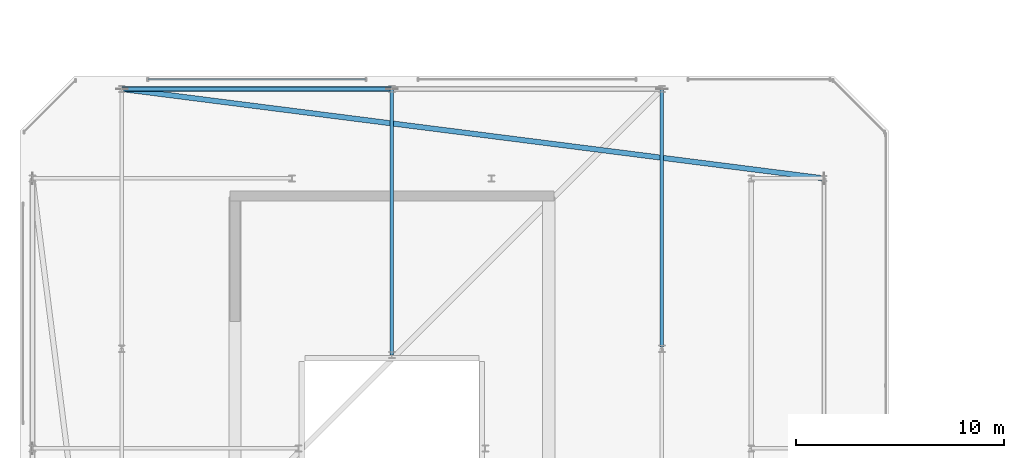
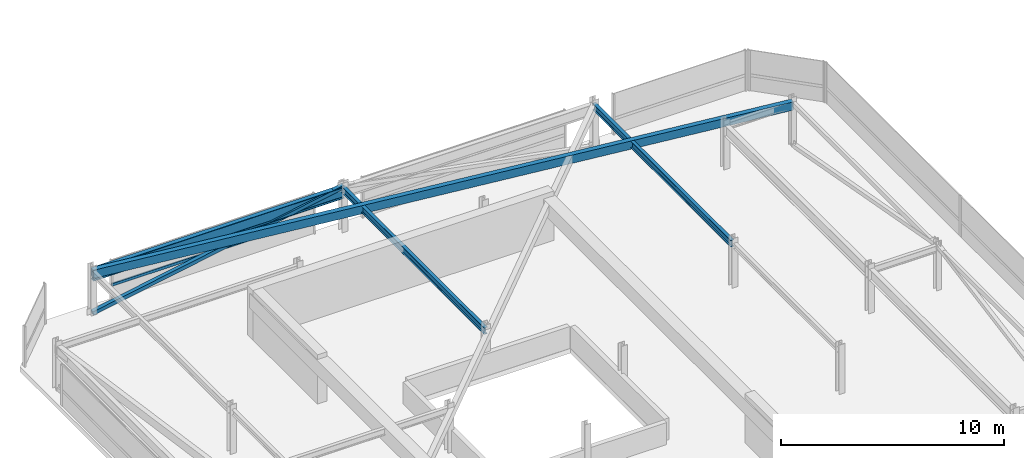
# One storey, part 25 of 44: 4 beams, 2 members, 1 element without a shape of its own.
"""IFC4 building model written with IfcOpenShell, lengths in metres."""

from ifc_helpers import new_model, si_unit, direction, frame, origin, origin_2d, place, context, subcontext, project, spatial, hollow_rectangle, i_section, extrude, material, material_profile, profile_set, type_object, element, aggregate, save


model = new_model("IFC4")

# Units and contexts
model_context = context("Model", 3, precision=1e-05, world=origin(), true_north=direction((0.0, 1.0)))
body_context = subcontext(model_context, "Body", "Model", "MODEL_VIEW")
ifc_project = project(units=[si_unit("LENGTHUNIT", "METRE"), si_unit("AREAUNIT", "SQUARE_METRE"), si_unit("VOLUMEUNIT", "CUBIC_METRE"), si_unit("PLANEANGLEUNIT", "RADIAN"), si_unit("MASSUNIT", "GRAM", prefix="KILO")], contexts=[model_context])

# Site, building, storey
site_placement = place(None, origin())
site = spatial("IfcSite", under=ifc_project, at=site_placement, CompositionType="ELEMENT")
building_placement = place(site_placement, origin())
building = spatial("IfcBuilding", under=site, at=building_placement, Name="Thornwick Lancets Civic Towers", CompositionType="ELEMENT")
storey_placement = place(building_placement, frame((0.0, 0.0, 292.199951171875)))
storey = spatial("IfcBuildingStorey", under=building, at=storey_placement, Name="C05", CompositionType="ELEMENT", Elevation=292.199951171875)

# Beams
ifc_material_1 = material(Name="Steel S355JR", Category="steel")
ifc_material_profile_1 = material_profile(ifc_material_1, i_section(OverallWidth=0.230224609375, OverallDepth=0.6171875, WebThickness=0.01318359375, FlangeThickness=0.022216796875, FilletRadius=0.0126953125, at=origin_2d()), Name="UKB 610x229x140")
ifc_profile_set_1 = profile_set([ifc_material_profile_1], Name="Steel S355JR")
beam_type_1 = type_object("IfcBeamType", Name="BM_GIRD_610_140", PredefinedType="BEAM", material=ifc_profile_set_1)
beam_1_placement = place(storey_placement, frame((12.5, 44.300048828125, 2.13134765625), z_axis=(1.0, 0.0, 0.0), x_axis=(0.0, 1.0, 0.0)))
element("IfcBeam", 1, at=beam_1_placement, inside=storey, type_object=beam_type_1, Name="BM-SPINE-C05-A-6-7", PredefinedType="BEAM", context=body_context, shape_type="SweptSolid", body=[
    extrude(i_section(OverallWidth=0.230224609375, OverallDepth=0.6171875, WebThickness=0.01318359375, FlangeThickness=0.022216796875, FilletRadius=0.0126953125, at=origin_2d()), origin(), (0.0, 0.0, 1.0), 13.0),
])
ifc_material_profile_2 = material_profile(ifc_material_1, i_section(OverallWidth=0.173095703125, OverallDepth=0.36328125, WebThickness=0.009033203125, FlangeThickness=0.015625, FilletRadius=0.01025390625, at=origin_2d()), Name="UKB 356x171x67")
ifc_profile_set_2 = profile_set([ifc_material_profile_2], Name="Steel S355JR")
beam_type_2 = type_object("IfcBeamType", Name="BM_JOIST_356_67", PredefinedType="JOIST", material=ifc_profile_set_2)
beam_2_placement = place(storey_placement, frame((25.5, 31.5, 2.25830078125), z_axis=(0.0, 1.0, 0.0), x_axis=(-1.0, 0.0, 0.0)))
element("IfcBeam", 2, at=beam_2_placement, inside=storey, type_object=beam_type_2, Name="BM-RADIN-C05-A08", PredefinedType="JOIST", context=body_context, shape_type="SweptSolid", body=[
    extrude(i_section(OverallWidth=0.173095703125, OverallDepth=0.36328125, WebThickness=0.009033203125, FlangeThickness=0.015625, FilletRadius=0.01025390625, at=origin_2d()), origin(), (0.0, 0.0, 1.0), 12.800048828125),
])
beam_3_placement = place(storey_placement, frame((38.5, 31.8798828125, 2.25830078125), z_axis=(0.0, 1.0, 0.0), x_axis=(-1.0, 0.0, 0.0)))
element("IfcBeam", 3, at=beam_3_placement, inside=storey, type_object=beam_type_2, Name="BM-RADIN-C05-A09", PredefinedType="JOIST", context=body_context, shape_type="SweptSolid", body=[
    extrude(i_section(OverallWidth=0.173095703125, OverallDepth=0.36328125, WebThickness=0.009033203125, FlangeThickness=0.015625, FilletRadius=0.01025390625, at=origin_2d()), origin(), (0.0, 0.0, 1.0), 12.420166015625),
])
ifc_material_profile_3 = material_profile(ifc_material_1, hollow_rectangle(XDim=0.25, YDim=0.449951171875, WallThickness=0.01611328125, at=origin_2d()), Name="RHS 450x250x16")
ifc_profile_set_3 = profile_set([ifc_material_profile_3], Name="Steel S355JR")
beam_type_3 = type_object("IfcBeamType", Name="BM_RING_RHS450", PredefinedType="BEAM", material=ifc_profile_set_3)
beam_4_placement = place(storey_placement, frame((46.300048828125, 40.0, 2.215087890625), z_axis=(-0.992004437051, 0.126202998662, 0.0), x_axis=(-0.126202998662, -0.992004437051, 0.0)))
element("IfcBeam", 4, at=beam_4_placement, inside=storey, type_object=beam_type_3, Name="BM-CHAMF-C05-A-C1", PredefinedType="BEAM", context=body_context, shape_type="SweptSolid", body=[
    extrude(hollow_rectangle(XDim=0.25, YDim=0.449951171875, WallThickness=0.01611328125, at=origin_2d()), origin(), (0.0, 0.0, 1.0), 34.072509765625),
])

# Curtain wall, member
ifc_material_2 = material(Name="Crown ring acoustic-louvre and glazing screen wall", Category="glass")
curtain_wall_type = type_object("IfcCurtainWallType", Name="CW_SYS_07", PredefinedType="NOTDEFINED", material=ifc_material_2)
curtain_wall_placement = place(storey_placement, origin())
curtain_wall = element("IfcCurtainWall", 5, at=curtain_wall_placement, inside=storey, type_object=curtain_wall_type, Name="C05 Curtain Wall CW-C05-A-E4-S3", PredefinedType="NOTDEFINED")
ifc_material_3 = material(Name="Thermally broken bronze aluminium S355", Category="steel")
ifc_material_profile_4 = material_profile(ifc_material_3, hollow_rectangle(XDim=0.074951171875, YDim=0.14990234375, WallThickness=0.0048828125, at=origin_2d()), Name="RHS 150x75x5")
ifc_profile_set_4 = profile_set([ifc_material_profile_4], Name="Thermally broken bronze aluminium S355")
member_type_1 = type_object("IfcMemberType", Name="CW_TRN_150", PredefinedType="USERDEFINED", material=ifc_profile_set_4)
member_1_placement = place(storey_placement, frame((24.22998046875, 44.7646484375, 0.85009765625), z_axis=(-1.0, 0.0, 0.0), x_axis=(0.0, -1.0, 0.0)))
member_1 = element("IfcMember", 6, at=member_1_placement, type_object=member_type_1, Name="CW-C05-A-E4-S3 Transom 0", ObjectType="TRANSOM", PredefinedType="USERDEFINED", context=body_context, shape_type="SweptSolid", body=[
    extrude(hollow_rectangle(XDim=0.074951171875, YDim=0.14990234375, WallThickness=0.0048828125, at=origin_2d()), origin(), (0.0, 0.0, 1.0), 10.4599609375),
])
aggregate(curtain_wall, [member_1])

# Member
ifc_material_profile_5 = material_profile(ifc_material_1, hollow_rectangle(XDim=0.199951171875, YDim=0.199951171875, WallThickness=0.012451171875, at=origin_2d()), Name="SHS 200x200x12.5")
ifc_profile_set_5 = profile_set([ifc_material_profile_5], Name="Steel S355JR")
member_type_2 = type_object("IfcMemberType", Name="MEM_CROWN_SHS200", PredefinedType="BRACE", material=ifc_profile_set_5)
member_2_placement = place(storey_placement, frame((12.5, 44.300048828125, 0.050048828125), z_axis=(0.98351842104, 0.0, 0.180807951915), x_axis=(0.0, 1.0, 0.0)))
element("IfcMember", 7, at=member_2_placement, inside=storey, type_object=member_type_2, Name="C05 Crown Ring Lancet Rib A-S2-L", PredefinedType="BRACE", context=body_context, shape_type="SweptSolid", body=[
    extrude(hollow_rectangle(XDim=0.199951171875, YDim=0.199951171875, WallThickness=0.012451171875, at=origin_2d()), origin(), (0.0, 0.0, 1.0), 13.2177734375),
])

save(model, "model.ifc")
